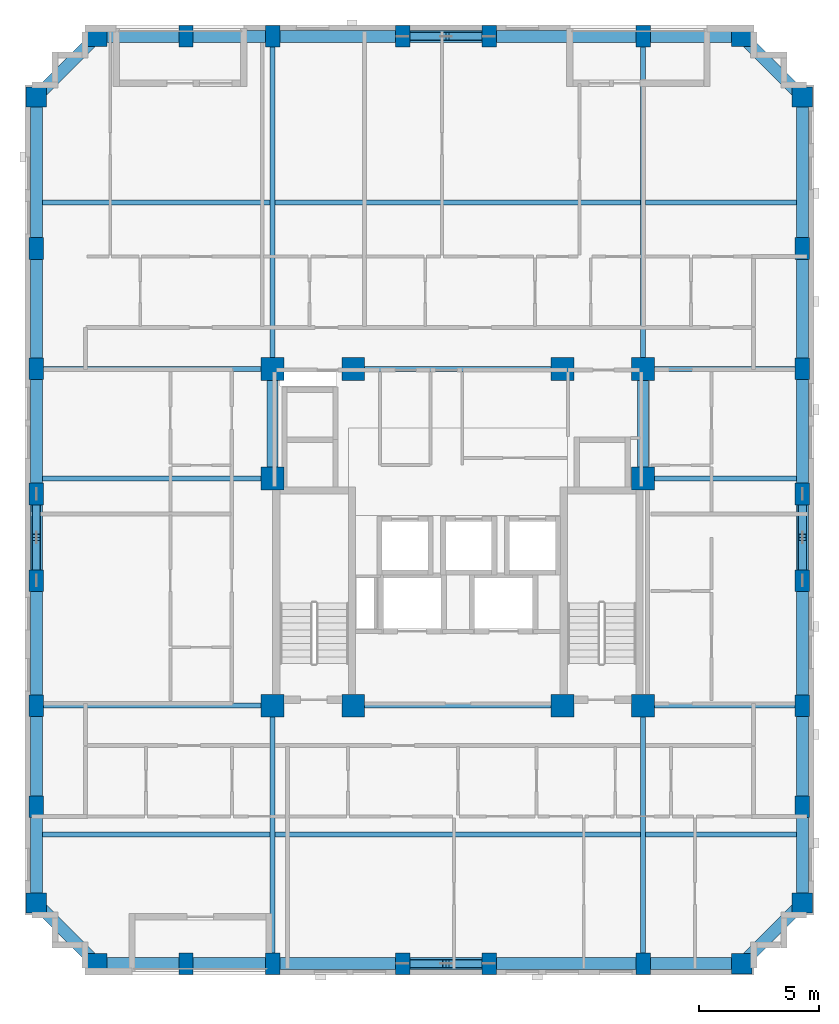
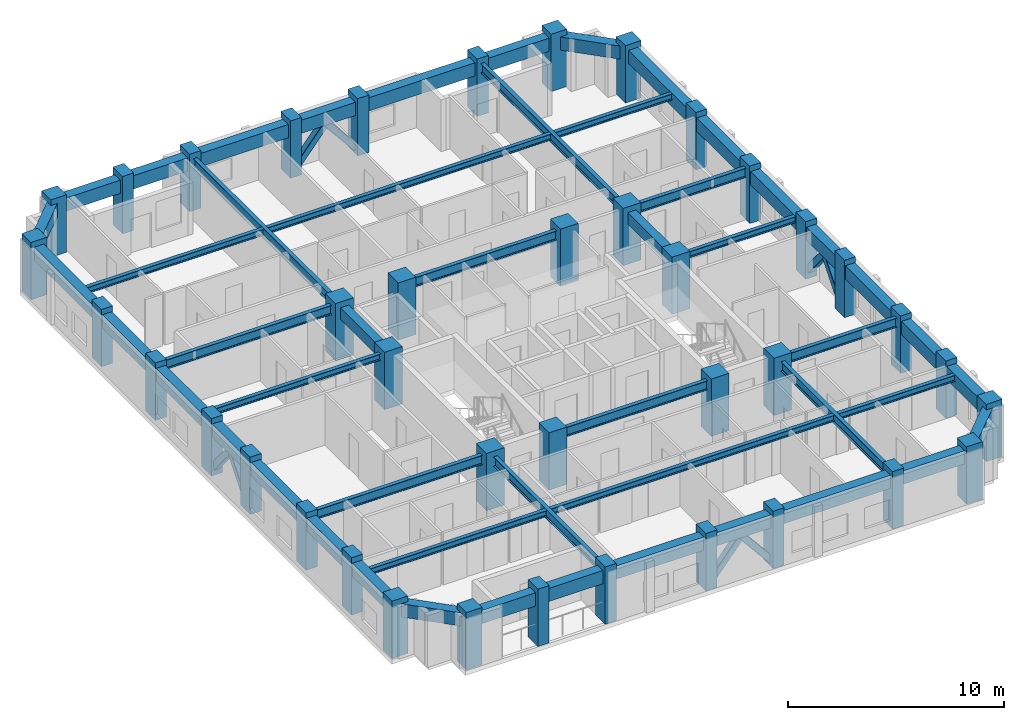
# One storey, part 1 of 11: 50 beams, 40 columns, 8 members.
"""IFC4 building model written with IfcOpenShell, lengths in metres."""

from ifc_helpers import new_model, si_unit, derived_unit, direction, frame, origin, origin_2d, place, context, subcontext, project, spatial, rectangle, hollow_rectangle, i_section, extrude, material, material_profile, profile_set, type_object, element, save


model = new_model("IFC4")

# Units and contexts
model_context = context("Model", 3, precision=1e-05, world=origin(), true_north=direction((0.0, 1.0)))
body_context = subcontext(model_context, "Body", "Model", "MODEL_VIEW")
ifc_project = project(units=[si_unit("LENGTHUNIT", "METRE"), si_unit("AREAUNIT", "SQUARE_METRE"), si_unit("VOLUMEUNIT", "CUBIC_METRE"), si_unit("PLANEANGLEUNIT", "RADIAN"), si_unit("MASSUNIT", "GRAM", prefix="KILO"), derived_unit("THERMALTRANSMITTANCEUNIT", [(si_unit("MASSUNIT", "GRAM", prefix="KILO"), 1), (si_unit("TIMEUNIT", "SECOND"), -3), (si_unit("THERMODYNAMICTEMPERATUREUNIT", "KELVIN"), -1)])], contexts=[model_context])

# Site, building, storey
site_placement = place(None, origin())
site = spatial("IfcSite", under=ifc_project, at=site_placement, CompositionType="ELEMENT")
building_placement = place(site_placement, origin())
building = spatial("IfcBuilding", under=site, at=building_placement, Name="Korrvale Station Residences", CompositionType="ELEMENT")
storey_placement = place(building_placement, frame((0.0, 0.0, 166.64990234375)))
storey = spatial("IfcBuildingStorey", under=building, at=storey_placement, Name="L48", CompositionType="ELEMENT", Elevation=166.64990234375)

# Columns
ifc_material_1 = material(Name="Concrete C60/75", Category="concrete")
ifc_material_profile_1 = material_profile(ifc_material_1, rectangle(XDim=0.60009765625, YDim=0.89990234375, at=origin_2d()), Name="RC600x900")
ifc_profile_set_1 = profile_set([ifc_material_profile_1], Name="Concrete C60/75")
column_type_1 = type_object("IfcColumnType", Name="COL-C-RC600x900-C6075", PredefinedType="COLUMN", material=ifc_profile_set_1)
for number, where, z_axis, x_axis, name in (
    (1, (14.199951171875, 4.280029296875, 0.0), (0.0, 0.0, 1.0), (1.0, 0.0, 0.0), "L48 Bundled-Tube South Column 02"),
    (2, (17.800048828125, 4.280029296875, 0.0), (0.0, 0.0, 1.0), (1.0, 0.0, 0.0), "L48 Bundled-Tube South Column 03"),
    (3, (23.199951171875, 4.280029296875, 0.0), (0.0, 0.0, 1.0), (1.0, 0.0, 0.0), "L48 Bundled-Tube South Column 04"),
    (4, (26.800048828125, 4.280029296875, 0.0), (0.0, 0.0, 1.0), (1.0, 0.0, 0.0), "L48 Bundled-Tube South Column 05"),
    (5, (33.199951171875, 4.280029296875, 0.0), (0.0, 0.0, 1.0), (1.0, 0.0, 0.0), "L48 Bundled-Tube South Column 06"),
    (6, (14.199951171875, 42.820068359375, 0.0), (0.0, 0.0, 1.0), (1.0, 0.0, 0.0), "L48 Bundled-Tube North Column 09"),
    (7, (17.800048828125, 42.820068359375, 0.0), (0.0, 0.0, 1.0), (1.0, 0.0, 0.0), "L48 Bundled-Tube North Column 10"),
    (8, (23.199951171875, 42.820068359375, 0.0), (0.0, 0.0, 1.0), (1.0, 0.0, 0.0), "L48 Bundled-Tube North Column 11"),
    (9, (26.800048828125, 42.820068359375, 0.0), (0.0, 0.0, 1.0), (1.0, 0.0, 0.0), "L48 Bundled-Tube North Column 12"),
    (10, (33.199951171875, 42.820068359375, 0.0), (0.0, 0.0, 1.0), (1.0, 0.0, 0.0), "L48 Bundled-Tube North Column 13"),
    (11, (7.97998046875, 10.800048828125, 0.0), (0.0, 0.0, 1.0), (1.0, 0.0, 0.0), "L48 Bundled-Tube West Column 16"),
    (12, (7.97998046875, 15.0, 0.0), (0.0, 0.0, 1.0), (1.0, 0.0, 0.0), "L48 Bundled-Tube West Column 17"),
    (13, (7.97998046875, 20.199951171875, 0.0), (0.0, 0.0, 1.0), (1.0, 0.0, 0.0), "L48 Bundled-Tube West Column 18"),
    (14, (7.97998046875, 23.800048828125, 0.0), (0.0, 0.0, 1.0), (1.0, 0.0, 0.0), "L48 Bundled-Tube West Column 19"),
    (15, (7.97998046875, 29.0, 0.0), (0.0, 0.0, 1.0), (1.0, 0.0, 0.0), "L48 Bundled-Tube West Column 20"),
    (16, (7.97998046875, 34.0, 0.0), (0.0, 0.0, 1.0), (1.0, 0.0, 0.0), "L48 Bundled-Tube West Column 21"),
    (17, (39.820068359375, 10.800048828125, 0.0), (0.0, 0.0, 1.0), (1.0, 0.0, 0.0), "L48 Bundled-Tube East Column 24"),
    (18, (39.820068359375, 15.0, 0.0), (0.0, 0.0, 1.0), (1.0, 0.0, 0.0), "L48 Bundled-Tube East Column 25"),
    (19, (39.820068359375, 20.199951171875, 0.0), (0.0, 0.0, 1.0), (1.0, 0.0, 0.0), "L48 Bundled-Tube East Column 26"),
    (20, (39.820068359375, 23.800048828125, 0.0), (0.0, 0.0, 1.0), (1.0, 0.0, 0.0), "L48 Bundled-Tube East Column 27"),
    (21, (39.820068359375, 29.0, 0.0), (0.0, 0.0, 1.0), (1.0, 0.0, 0.0), "L48 Bundled-Tube East Column 28"),
    (22, (39.820068359375, 34.0, 0.0), (0.0, 0.0, 1.0), (1.0, 0.0, 0.0), "L48 Bundled-Tube East Column 29"),
):
    element("IfcColumn", number, at=place(storey_placement, frame(where, z_axis=z_axis, x_axis=x_axis)), inside=storey, type_object=column_type_1, Name=name, PredefinedType="COLUMN", context=body_context, shape_type="SweptSolid", body=[
        extrude(rectangle(XDim=0.60009765625, YDim=0.89990234375, at=origin_2d()), origin(), (0.0, 0.0, 1.0), 3.25),
    ])
ifc_material_profile_2 = material_profile(ifc_material_1, rectangle(XDim=0.85009765625, YDim=0.85009765625, at=origin_2d()), Name="RC850x850")
ifc_profile_set_2 = profile_set([ifc_material_profile_2], Name="Concrete C60/75")
column_type_2 = type_object("IfcColumnType", Name="COL-C-RC850x850-C6075", PredefinedType="COLUMN", material=ifc_profile_set_2)
for number, where, z_axis, x_axis, name in (
    (23, (10.5, 4.280029296875, 0.0), (0.0, 0.0, 1.0), (1.0, 0.0, 0.0), "L48 Bundled-Tube South Column 01"),
    (24, (37.300048828125, 4.280029296875, 0.0), (0.0, 0.0, 1.0), (1.0, 0.0, 0.0), "L48 Bundled-Tube South Column 07"),
    (25, (10.5, 42.820068359375, 0.0), (0.0, 0.0, 1.0), (1.0, 0.0, 0.0), "L48 Bundled-Tube North Column 08"),
    (26, (37.300048828125, 42.820068359375, 0.0), (0.0, 0.0, 1.0), (1.0, 0.0, 0.0), "L48 Bundled-Tube North Column 14"),
    (27, (7.97998046875, 6.800048828125, 0.0), (0.0, 0.0, 1.0), (1.0, 0.0, 0.0), "L48 Bundled-Tube West Column 15"),
    (28, (7.97998046875, 40.300048828125, 0.0), (0.0, 0.0, 1.0), (1.0, 0.0, 0.0), "L48 Bundled-Tube West Column 22"),
    (29, (39.820068359375, 6.800048828125, 0.0), (0.0, 0.0, 1.0), (1.0, 0.0, 0.0), "L48 Bundled-Tube East Column 23"),
    (30, (39.820068359375, 40.300048828125, 0.0), (0.0, 0.0, 1.0), (1.0, 0.0, 0.0), "L48 Bundled-Tube East Column 30"),
):
    element("IfcColumn", number, at=place(storey_placement, frame(where, z_axis=z_axis, x_axis=x_axis)), inside=storey, type_object=column_type_2, Name=name, PredefinedType="COLUMN", context=body_context, shape_type="SweptSolid", body=[
        extrude(rectangle(XDim=0.85009765625, YDim=0.85009765625, at=origin_2d()), origin(), (0.0, 0.0, 1.0), 3.25),
    ])
ifc_material_profile_3 = material_profile(ifc_material_1, rectangle(XDim=0.949951171875, YDim=0.949951171875, at=origin_2d()), Name="RC950x950")
ifc_profile_set_3 = profile_set([ifc_material_profile_3], Name="Concrete C60/75")
column_type_3 = type_object("IfcColumnType", Name="COL-C-RC950x950-C6075", PredefinedType="COLUMN", material=ifc_profile_set_3)
for number, where, z_axis, x_axis, name in (
    (31, (17.800048828125, 15.0, 0.0), (0.0, 0.0, 1.0), (1.0, 0.0, 0.0), "L48 Core Column 01"),
    (32, (21.14990234375, 15.0, 0.0), (0.0, 0.0, 1.0), (1.0, 0.0, 0.0), "L48 Core Column 02"),
    (33, (29.85009765625, 15.0, 0.0), (0.0, 0.0, 1.0), (1.0, 0.0, 0.0), "L48 Core Column 03"),
    (34, (33.199951171875, 15.0, 0.0), (0.0, 0.0, 1.0), (1.0, 0.0, 0.0), "L48 Core Column 04"),
    (35, (17.800048828125, 29.0, 0.0), (0.0, 0.0, 1.0), (1.0, 0.0, 0.0), "L48 Core Column 05"),
    (36, (21.14990234375, 29.0, 0.0), (0.0, 0.0, 1.0), (1.0, 0.0, 0.0), "L48 Core Column 06"),
    (37, (29.85009765625, 29.0, 0.0), (0.0, 0.0, 1.0), (1.0, 0.0, 0.0), "L48 Core Column 07"),
    (38, (33.199951171875, 29.0, 0.0), (0.0, 0.0, 1.0), (1.0, 0.0, 0.0), "L48 Core Column 08"),
    (39, (17.800048828125, 24.449951171875, 0.0), (0.0, 0.0, 1.0), (1.0, 0.0, 0.0), "L48 Core Column 09"),
    (40, (33.199951171875, 24.449951171875, 0.0), (0.0, 0.0, 1.0), (1.0, 0.0, 0.0), "L48 Core Column 10"),
):
    element("IfcColumn", number, at=place(storey_placement, frame(where, z_axis=z_axis, x_axis=x_axis)), inside=storey, type_object=column_type_3, Name=name, PredefinedType="COLUMN", context=body_context, shape_type="SweptSolid", body=[
        extrude(rectangle(XDim=0.949951171875, YDim=0.949951171875, at=origin_2d()), origin(), (0.0, 0.0, 1.0), 3.25),
    ])

# Beams
ifc_material_2 = material(Name="Steel S355", Category="steel")
ifc_material_profile_4 = material_profile(ifc_material_2, i_section(OverallWidth=0.208984375, OverallDepth=0.532958984375, WebThickness=0.01025390625, FlangeThickness=0.015625, FilletRadius=0.01806640625, at=origin_2d()), Name="W530x92")
ifc_profile_set_4 = profile_set([ifc_material_profile_4], Name="Steel S355")
beam_type_1 = type_object("IfcBeamType", Name="BM-BM-W530x92-S355", PredefinedType="BEAM", material=ifc_profile_set_4)
for number, where, z_axis, x_axis, name in (
    (41, (17.800048828125, 4.280029296875, 2.66357421875), (0.0, 1.0, 0.0), (-1.0, 0.0, 0.0), "L48 Bundled-Tube Web Girder 01"),
    (42, (33.199951171875, 4.280029296875, 2.66357421875), (0.0, 1.0, 0.0), (-1.0, 0.0, 0.0), "L48 Bundled-Tube Web Girder 02"),
):
    element("IfcBeam", number, at=place(storey_placement, frame(where, z_axis=z_axis, x_axis=x_axis)), inside=storey, type_object=beam_type_1, Name=name, PredefinedType="BEAM", context=body_context, shape_type="SweptSolid", body=[
        extrude(i_section(OverallWidth=0.208984375, OverallDepth=0.532958984375, WebThickness=0.01025390625, FlangeThickness=0.015625, FilletRadius=0.01806640625, at=origin_2d()), origin(), (0.0, 0.0, 1.0), 10.719970703125),
    ])
for number, where, z_axis, x_axis, name in (
    (43, (17.800048828125, 29.0, 2.66357421875), (0.0, 1.0, 0.0), (-1.0, 0.0, 0.0), "L48 Bundled-Tube Web Girder 03"),
    (44, (33.199951171875, 29.0, 2.66357421875), (0.0, 1.0, 0.0), (-1.0, 0.0, 0.0), "L48 Bundled-Tube Web Girder 04"),
):
    element("IfcBeam", number, at=place(storey_placement, frame(where, z_axis=z_axis, x_axis=x_axis)), inside=storey, type_object=beam_type_1, Name=name, PredefinedType="BEAM", context=body_context, shape_type="SweptSolid", body=[
        extrude(i_section(OverallWidth=0.208984375, OverallDepth=0.532958984375, WebThickness=0.01025390625, FlangeThickness=0.015625, FilletRadius=0.01806640625, at=origin_2d()), origin(), (0.0, 0.0, 1.0), 13.820068359375),
    ])
beam_1_placement = place(storey_placement, frame((7.97998046875, 15.0, 2.66357421875), z_axis=(1.0, 0.0, 0.0), x_axis=(0.0, 1.0, 0.0)))
element("IfcBeam", 45, at=beam_1_placement, inside=storey, type_object=beam_type_1, Name="L48 Bundled-Tube Web Girder 05", PredefinedType="BEAM", context=body_context, shape_type="SweptSolid", body=[
    extrude(i_section(OverallWidth=0.208984375, OverallDepth=0.532958984375, WebThickness=0.01025390625, FlangeThickness=0.015625, FilletRadius=0.01806640625, at=origin_2d()), origin(), (0.0, 0.0, 1.0), 9.820068359375),
])
beam_2_placement = place(storey_placement, frame((33.199951171875, 15.0, 2.66357421875), z_axis=(1.0, 0.0, 0.0), x_axis=(0.0, 1.0, 0.0)))
element("IfcBeam", 46, at=beam_2_placement, inside=storey, type_object=beam_type_1, Name="L48 Bundled-Tube Web Girder 06", PredefinedType="BEAM", context=body_context, shape_type="SweptSolid", body=[
    extrude(i_section(OverallWidth=0.208984375, OverallDepth=0.532958984375, WebThickness=0.01025390625, FlangeThickness=0.015625, FilletRadius=0.01806640625, at=origin_2d()), origin(), (0.0, 0.0, 1.0), 6.6201171875),
])
beam_3_placement = place(storey_placement, frame((7.97998046875, 29.0, 2.66357421875), z_axis=(1.0, 0.0, 0.0), x_axis=(0.0, 1.0, 0.0)))
element("IfcBeam", 47, at=beam_3_placement, inside=storey, type_object=beam_type_1, Name="L48 Bundled-Tube Web Girder 07", PredefinedType="BEAM", context=body_context, shape_type="SweptSolid", body=[
    extrude(i_section(OverallWidth=0.208984375, OverallDepth=0.532958984375, WebThickness=0.01025390625, FlangeThickness=0.015625, FilletRadius=0.01806640625, at=origin_2d()), origin(), (0.0, 0.0, 1.0), 9.820068359375),
])
beam_4_placement = place(storey_placement, frame((33.199951171875, 29.0, 2.66357421875), z_axis=(1.0, 0.0, 0.0), x_axis=(0.0, 1.0, 0.0)))
element("IfcBeam", 48, at=beam_4_placement, inside=storey, type_object=beam_type_1, Name="L48 Bundled-Tube Web Girder 08", PredefinedType="BEAM", context=body_context, shape_type="SweptSolid", body=[
    extrude(i_section(OverallWidth=0.208984375, OverallDepth=0.532958984375, WebThickness=0.01025390625, FlangeThickness=0.015625, FilletRadius=0.01806640625, at=origin_2d()), origin(), (0.0, 0.0, 1.0), 6.6201171875),
])
for number, where, z_axis, x_axis, name in (
    (49, (21.14990234375, 15.0, 2.66357421875), (1.0, 0.0, 0.0), (0.0, 1.0, 0.0), "L48 Bundled-Tube Web Girder 09"),
    (50, (21.14990234375, 29.0, 2.66357421875), (1.0, 0.0, 0.0), (0.0, 1.0, 0.0), "L48 Bundled-Tube Web Girder 10"),
):
    element("IfcBeam", number, at=place(storey_placement, frame(where, z_axis=z_axis, x_axis=x_axis)), inside=storey, type_object=beam_type_1, Name=name, PredefinedType="BEAM", context=body_context, shape_type="SweptSolid", body=[
        extrude(i_section(OverallWidth=0.208984375, OverallDepth=0.532958984375, WebThickness=0.01025390625, FlangeThickness=0.015625, FilletRadius=0.01806640625, at=origin_2d()), origin(), (0.0, 0.0, 1.0), 8.7001953125),
    ])
ifc_material_profile_5 = material_profile(ifc_material_2, i_section(OverallWidth=0.205078125, OverallDepth=0.35400390625, WebThickness=0.009521484375, FlangeThickness=0.016845703125, FilletRadius=0.014892578125, at=origin_2d()), Name="W360x79")
ifc_profile_set_5 = profile_set([ifc_material_profile_5], Name="Steel S355")
beam_type_2 = type_object("IfcBeamType", Name="BM-JST-W360x79-S355", PredefinedType="JOIST", material=ifc_profile_set_5)
beam_5_placement = place(storey_placement, frame((8.22998046875, 9.639892578125, 2.753173828125), z_axis=(1.0, 0.0, 0.0), x_axis=(0.0, 1.0, 0.0)))
element("IfcBeam", 51, at=beam_5_placement, inside=storey, type_object=beam_type_2, Name="L48 Floor Framing Joist 01", PredefinedType="JOIST", context=body_context, shape_type="SweptSolid", body=[
    extrude(i_section(OverallWidth=0.205078125, OverallDepth=0.35400390625, WebThickness=0.009521484375, FlangeThickness=0.016845703125, FilletRadius=0.014892578125, at=origin_2d()), origin(), (0.0, 0.0, 1.0), 9.465576171875),
])
beam_6_placement = place(storey_placement, frame((17.904541015625, 9.639892578125, 2.753173828125), z_axis=(1.0, 0.0, 0.0), x_axis=(0.0, 1.0, 0.0)))
element("IfcBeam", 52, at=beam_6_placement, inside=storey, type_object=beam_type_2, Name="L48 Floor Framing Joist 02", PredefinedType="JOIST", context=body_context, shape_type="SweptSolid", body=[
    extrude(i_section(OverallWidth=0.205078125, OverallDepth=0.35400390625, WebThickness=0.009521484375, FlangeThickness=0.016845703125, FilletRadius=0.014892578125, at=origin_2d()), origin(), (0.0, 0.0, 1.0), 15.19091796875),
])
beam_7_placement = place(storey_placement, frame((33.304443359375, 9.639892578125, 2.753173828125), z_axis=(1.0, 0.0, 0.0), x_axis=(0.0, 1.0, 0.0)))
element("IfcBeam", 53, at=beam_7_placement, inside=storey, type_object=beam_type_2, Name="L48 Floor Framing Joist 03", PredefinedType="JOIST", context=body_context, shape_type="SweptSolid", body=[
    extrude(i_section(OverallWidth=0.205078125, OverallDepth=0.35400390625, WebThickness=0.009521484375, FlangeThickness=0.016845703125, FilletRadius=0.014892578125, at=origin_2d()), origin(), (0.0, 0.0, 1.0), 6.265625),
])
beam_8_placement = place(storey_placement, frame((8.22998046875, 35.909912109375, 2.753173828125), z_axis=(1.0, 0.0, 0.0), x_axis=(0.0, 1.0, 0.0)))
element("IfcBeam", 54, at=beam_8_placement, inside=storey, type_object=beam_type_2, Name="L48 Floor Framing Joist 04", PredefinedType="JOIST", context=body_context, shape_type="SweptSolid", body=[
    extrude(i_section(OverallWidth=0.205078125, OverallDepth=0.35400390625, WebThickness=0.009521484375, FlangeThickness=0.016845703125, FilletRadius=0.014892578125, at=origin_2d()), origin(), (0.0, 0.0, 1.0), 9.465576171875),
])
beam_9_placement = place(storey_placement, frame((17.904541015625, 35.909912109375, 2.753173828125), z_axis=(1.0, 0.0, 0.0), x_axis=(0.0, 1.0, 0.0)))
element("IfcBeam", 55, at=beam_9_placement, inside=storey, type_object=beam_type_2, Name="L48 Floor Framing Joist 05", PredefinedType="JOIST", context=body_context, shape_type="SweptSolid", body=[
    extrude(i_section(OverallWidth=0.205078125, OverallDepth=0.35400390625, WebThickness=0.009521484375, FlangeThickness=0.016845703125, FilletRadius=0.014892578125, at=origin_2d()), origin(), (0.0, 0.0, 1.0), 15.19091796875),
])
beam_10_placement = place(storey_placement, frame((33.304443359375, 35.909912109375, 2.753173828125), z_axis=(1.0, 0.0, 0.0), x_axis=(0.0, 1.0, 0.0)))
element("IfcBeam", 56, at=beam_10_placement, inside=storey, type_object=beam_type_2, Name="L48 Floor Framing Joist 06", PredefinedType="JOIST", context=body_context, shape_type="SweptSolid", body=[
    extrude(i_section(OverallWidth=0.205078125, OverallDepth=0.35400390625, WebThickness=0.009521484375, FlangeThickness=0.016845703125, FilletRadius=0.014892578125, at=origin_2d()), origin(), (0.0, 0.0, 1.0), 6.265625),
])
beam_11_placement = place(storey_placement, frame((33.425048828125, 24.449951171875, 2.753173828125), z_axis=(1.0, 0.0, 0.0), x_axis=(0.0, 1.0, 0.0)))
element("IfcBeam", 57, at=beam_11_placement, inside=storey, type_object=beam_type_2, Name="L48 Floor Framing Joist 07", PredefinedType="JOIST", context=body_context, shape_type="SweptSolid", body=[
    extrude(i_section(OverallWidth=0.205078125, OverallDepth=0.35400390625, WebThickness=0.009521484375, FlangeThickness=0.016845703125, FilletRadius=0.014892578125, at=origin_2d()), origin(), (0.0, 0.0, 1.0), 6.14501953125),
])
beam_12_placement = place(storey_placement, frame((8.22998046875, 24.449951171875, 2.753173828125), z_axis=(1.0, 0.0, 0.0), x_axis=(0.0, 1.0, 0.0)))
element("IfcBeam", 58, at=beam_12_placement, inside=storey, type_object=beam_type_2, Name="L48 Floor Framing Joist 08", PredefinedType="JOIST", context=body_context, shape_type="SweptSolid", body=[
    extrude(i_section(OverallWidth=0.205078125, OverallDepth=0.35400390625, WebThickness=0.009521484375, FlangeThickness=0.016845703125, FilletRadius=0.014892578125, at=origin_2d()), origin(), (0.0, 0.0, 1.0), 9.344970703125),
])
ifc_material_profile_6 = material_profile(ifc_material_1, rectangle(XDim=0.449951171875, YDim=0.64990234375, at=origin_2d()), Name="RCB450x650")
ifc_profile_set_6 = profile_set([ifc_material_profile_6], Name="Concrete C60/75")
beam_type_3 = type_object("IfcBeamType", Name="BM-LNT-RCB450x650-C6075", PredefinedType="LINTEL", material=ifc_profile_set_6)
for number, where, z_axis, x_axis, name in (
    (59, (17.800048828125, 24.449951171875, 2.60498046875), (0.0, 1.0, 0.0), (-1.0, 0.0, 0.0), "L48 Core Coupling Lintel 1"),
    (60, (33.199951171875, 24.449951171875, 2.60498046875), (0.0, 1.0, 0.0), (-1.0, 0.0, 0.0), "L48 Core Coupling Lintel 2"),
):
    element("IfcBeam", number, at=place(storey_placement, frame(where, z_axis=z_axis, x_axis=x_axis)), inside=storey, type_object=beam_type_3, Name=name, PredefinedType="LINTEL", context=body_context, shape_type="SweptSolid", body=[
        extrude(rectangle(XDim=0.449951171875, YDim=0.64990234375, at=origin_2d()), origin(), (0.0, 0.0, 1.0), 4.550048828125),
    ])
ifc_material_profile_7 = material_profile(ifc_material_1, rectangle(XDim=0.5, YDim=0.75, at=origin_2d()), Name="RCB500x750")
ifc_profile_set_7 = profile_set([ifc_material_profile_7], Name="Concrete C60/75")
beam_type_4 = type_object("IfcBeamType", Name="BM-SPB-RCB500x750-C6075", PredefinedType="SPANDREL", material=ifc_profile_set_7)
beam_13_placement = place(storey_placement, frame((10.5, 4.280029296875, 2.55517578125), z_axis=(1.0, 0.0, 0.0), x_axis=(0.0, 1.0, 0.0)))
element("IfcBeam", 61, at=beam_13_placement, inside=storey, type_object=beam_type_4, Name="L48 South Tube Spandrel 01", PredefinedType="SPANDREL", context=body_context, shape_type="SweptSolid", body=[
    extrude(rectangle(XDim=0.5, YDim=0.75, at=origin_2d()), origin(), (0.0, 0.0, 1.0), 3.699951171875),
])
beam_14_placement = place(storey_placement, frame((14.199951171875, 4.280029296875, 2.55517578125), z_axis=(1.0, 0.0, 0.0), x_axis=(0.0, 1.0, 0.0)))
element("IfcBeam", 62, at=beam_14_placement, inside=storey, type_object=beam_type_4, Name="L48 South Tube Spandrel 02", PredefinedType="SPANDREL", context=body_context, shape_type="SweptSolid", body=[
    extrude(rectangle(XDim=0.5, YDim=0.75, at=origin_2d()), origin(), (0.0, 0.0, 1.0), 3.60009765625),
])
beam_15_placement = place(storey_placement, frame((17.800048828125, 4.280029296875, 2.55517578125), z_axis=(1.0, 0.0, 0.0), x_axis=(0.0, 1.0, 0.0)))
element("IfcBeam", 63, at=beam_15_placement, inside=storey, type_object=beam_type_4, Name="L48 South Tube Spandrel 03", PredefinedType="SPANDREL", context=body_context, shape_type="SweptSolid", body=[
    extrude(rectangle(XDim=0.5, YDim=0.75, at=origin_2d()), origin(), (0.0, 0.0, 1.0), 5.39990234375),
])
beam_16_placement = place(storey_placement, frame((23.199951171875, 4.280029296875, 2.55517578125), z_axis=(1.0, 0.0, 0.0), x_axis=(0.0, 1.0, 0.0)))
element("IfcBeam", 64, at=beam_16_placement, inside=storey, type_object=beam_type_4, Name="L48 South Tube Spandrel 04", PredefinedType="SPANDREL", context=body_context, shape_type="SweptSolid", body=[
    extrude(rectangle(XDim=0.5, YDim=0.75, at=origin_2d()), origin(), (0.0, 0.0, 1.0), 3.60009765625),
])
beam_17_placement = place(storey_placement, frame((26.800048828125, 4.280029296875, 2.55517578125), z_axis=(1.0, 0.0, 0.0), x_axis=(0.0, 1.0, 0.0)))
element("IfcBeam", 65, at=beam_17_placement, inside=storey, type_object=beam_type_4, Name="L48 South Tube Spandrel 05", PredefinedType="SPANDREL", context=body_context, shape_type="SweptSolid", body=[
    extrude(rectangle(XDim=0.5, YDim=0.75, at=origin_2d()), origin(), (0.0, 0.0, 1.0), 6.39990234375),
])
beam_18_placement = place(storey_placement, frame((33.199951171875, 4.280029296875, 2.55517578125), z_axis=(1.0, 0.0, 0.0), x_axis=(0.0, 1.0, 0.0)))
element("IfcBeam", 66, at=beam_18_placement, inside=storey, type_object=beam_type_4, Name="L48 South Tube Spandrel 06", PredefinedType="SPANDREL", context=body_context, shape_type="SweptSolid", body=[
    extrude(rectangle(XDim=0.5, YDim=0.75, at=origin_2d()), origin(), (0.0, 0.0, 1.0), 4.10009765625),
])
beam_19_placement = place(storey_placement, frame((10.5, 42.820068359375, 2.55517578125), z_axis=(1.0, 0.0, 0.0), x_axis=(0.0, 1.0, 0.0)))
element("IfcBeam", 67, at=beam_19_placement, inside=storey, type_object=beam_type_4, Name="L48 North Tube Spandrel 07", PredefinedType="SPANDREL", context=body_context, shape_type="SweptSolid", body=[
    extrude(rectangle(XDim=0.5, YDim=0.75, at=origin_2d()), origin(), (0.0, 0.0, 1.0), 3.699951171875),
])
beam_20_placement = place(storey_placement, frame((14.199951171875, 42.820068359375, 2.55517578125), z_axis=(1.0, 0.0, 0.0), x_axis=(0.0, 1.0, 0.0)))
element("IfcBeam", 68, at=beam_20_placement, inside=storey, type_object=beam_type_4, Name="L48 North Tube Spandrel 08", PredefinedType="SPANDREL", context=body_context, shape_type="SweptSolid", body=[
    extrude(rectangle(XDim=0.5, YDim=0.75, at=origin_2d()), origin(), (0.0, 0.0, 1.0), 3.60009765625),
])
beam_21_placement = place(storey_placement, frame((17.800048828125, 42.820068359375, 2.55517578125), z_axis=(1.0, 0.0, 0.0), x_axis=(0.0, 1.0, 0.0)))
element("IfcBeam", 69, at=beam_21_placement, inside=storey, type_object=beam_type_4, Name="L48 North Tube Spandrel 09", PredefinedType="SPANDREL", context=body_context, shape_type="SweptSolid", body=[
    extrude(rectangle(XDim=0.5, YDim=0.75, at=origin_2d()), origin(), (0.0, 0.0, 1.0), 5.39990234375),
])
beam_22_placement = place(storey_placement, frame((23.199951171875, 42.820068359375, 2.55517578125), z_axis=(1.0, 0.0, 0.0), x_axis=(0.0, 1.0, 0.0)))
element("IfcBeam", 70, at=beam_22_placement, inside=storey, type_object=beam_type_4, Name="L48 North Tube Spandrel 10", PredefinedType="SPANDREL", context=body_context, shape_type="SweptSolid", body=[
    extrude(rectangle(XDim=0.5, YDim=0.75, at=origin_2d()), origin(), (0.0, 0.0, 1.0), 3.60009765625),
])
beam_23_placement = place(storey_placement, frame((26.800048828125, 42.820068359375, 2.55517578125), z_axis=(1.0, 0.0, 0.0), x_axis=(0.0, 1.0, 0.0)))
element("IfcBeam", 71, at=beam_23_placement, inside=storey, type_object=beam_type_4, Name="L48 North Tube Spandrel 11", PredefinedType="SPANDREL", context=body_context, shape_type="SweptSolid", body=[
    extrude(rectangle(XDim=0.5, YDim=0.75, at=origin_2d()), origin(), (0.0, 0.0, 1.0), 6.39990234375),
])
beam_24_placement = place(storey_placement, frame((33.199951171875, 42.820068359375, 2.55517578125), z_axis=(1.0, 0.0, 0.0), x_axis=(0.0, 1.0, 0.0)))
element("IfcBeam", 72, at=beam_24_placement, inside=storey, type_object=beam_type_4, Name="L48 North Tube Spandrel 12", PredefinedType="SPANDREL", context=body_context, shape_type="SweptSolid", body=[
    extrude(rectangle(XDim=0.5, YDim=0.75, at=origin_2d()), origin(), (0.0, 0.0, 1.0), 4.10009765625),
])
beam_25_placement = place(storey_placement, frame((7.97998046875, 6.800048828125, 2.55517578125), z_axis=(0.0, 1.0, 0.0), x_axis=(-1.0, 0.0, 0.0)))
element("IfcBeam", 73, at=beam_25_placement, inside=storey, type_object=beam_type_4, Name="L48 West Tube Spandrel 13", PredefinedType="SPANDREL", context=body_context, shape_type="SweptSolid", body=[
    extrude(rectangle(XDim=0.5, YDim=0.75, at=origin_2d()), origin(), (0.0, 0.0, 1.0), 4.0),
])
beam_26_placement = place(storey_placement, frame((7.97998046875, 10.800048828125, 2.55517578125), z_axis=(0.0, 1.0, 0.0), x_axis=(-1.0, 0.0, 0.0)))
element("IfcBeam", 74, at=beam_26_placement, inside=storey, type_object=beam_type_4, Name="L48 West Tube Spandrel 14", PredefinedType="SPANDREL", context=body_context, shape_type="SweptSolid", body=[
    extrude(rectangle(XDim=0.5, YDim=0.75, at=origin_2d()), origin(), (0.0, 0.0, 1.0), 4.199951171875),
])
beam_27_placement = place(storey_placement, frame((7.97998046875, 15.0, 2.55517578125), z_axis=(0.0, 1.0, 0.0), x_axis=(-1.0, 0.0, 0.0)))
element("IfcBeam", 75, at=beam_27_placement, inside=storey, type_object=beam_type_4, Name="L48 West Tube Spandrel 15", PredefinedType="SPANDREL", context=body_context, shape_type="SweptSolid", body=[
    extrude(rectangle(XDim=0.5, YDim=0.75, at=origin_2d()), origin(), (0.0, 0.0, 1.0), 5.199951171875),
])
beam_28_placement = place(storey_placement, frame((7.97998046875, 20.199951171875, 2.55517578125), z_axis=(0.0, 1.0, 0.0), x_axis=(-1.0, 0.0, 0.0)))
element("IfcBeam", 76, at=beam_28_placement, inside=storey, type_object=beam_type_4, Name="L48 West Tube Spandrel 16", PredefinedType="SPANDREL", context=body_context, shape_type="SweptSolid", body=[
    extrude(rectangle(XDim=0.5, YDim=0.75, at=origin_2d()), origin(), (0.0, 0.0, 1.0), 3.60009765625),
])
beam_29_placement = place(storey_placement, frame((7.97998046875, 23.800048828125, 2.55517578125), z_axis=(0.0, 1.0, 0.0), x_axis=(-1.0, 0.0, 0.0)))
element("IfcBeam", 77, at=beam_29_placement, inside=storey, type_object=beam_type_4, Name="L48 West Tube Spandrel 17", PredefinedType="SPANDREL", context=body_context, shape_type="SweptSolid", body=[
    extrude(rectangle(XDim=0.5, YDim=0.75, at=origin_2d()), origin(), (0.0, 0.0, 1.0), 5.199951171875),
])
beam_30_placement = place(storey_placement, frame((7.97998046875, 29.0, 2.55517578125), z_axis=(0.0, 1.0, 0.0), x_axis=(-1.0, 0.0, 0.0)))
element("IfcBeam", 78, at=beam_30_placement, inside=storey, type_object=beam_type_4, Name="L48 West Tube Spandrel 18", PredefinedType="SPANDREL", context=body_context, shape_type="SweptSolid", body=[
    extrude(rectangle(XDim=0.5, YDim=0.75, at=origin_2d()), origin(), (0.0, 0.0, 1.0), 5.0),
])
beam_31_placement = place(storey_placement, frame((7.97998046875, 34.0, 2.55517578125), z_axis=(0.0, 1.0, 0.0), x_axis=(-1.0, 0.0, 0.0)))
element("IfcBeam", 79, at=beam_31_placement, inside=storey, type_object=beam_type_4, Name="L48 West Tube Spandrel 19", PredefinedType="SPANDREL", context=body_context, shape_type="SweptSolid", body=[
    extrude(rectangle(XDim=0.5, YDim=0.75, at=origin_2d()), origin(), (0.0, 0.0, 1.0), 6.300048828125),
])
beam_32_placement = place(storey_placement, frame((39.820068359375, 6.800048828125, 2.55517578125), z_axis=(0.0, 1.0, 0.0), x_axis=(-1.0, 0.0, 0.0)))
element("IfcBeam", 80, at=beam_32_placement, inside=storey, type_object=beam_type_4, Name="L48 East Tube Spandrel 20", PredefinedType="SPANDREL", context=body_context, shape_type="SweptSolid", body=[
    extrude(rectangle(XDim=0.5, YDim=0.75, at=origin_2d()), origin(), (0.0, 0.0, 1.0), 4.0),
])
beam_33_placement = place(storey_placement, frame((39.820068359375, 10.800048828125, 2.55517578125), z_axis=(0.0, 1.0, 0.0), x_axis=(-1.0, 0.0, 0.0)))
element("IfcBeam", 81, at=beam_33_placement, inside=storey, type_object=beam_type_4, Name="L48 East Tube Spandrel 21", PredefinedType="SPANDREL", context=body_context, shape_type="SweptSolid", body=[
    extrude(rectangle(XDim=0.5, YDim=0.75, at=origin_2d()), origin(), (0.0, 0.0, 1.0), 4.199951171875),
])
beam_34_placement = place(storey_placement, frame((39.820068359375, 15.0, 2.55517578125), z_axis=(0.0, 1.0, 0.0), x_axis=(-1.0, 0.0, 0.0)))
element("IfcBeam", 82, at=beam_34_placement, inside=storey, type_object=beam_type_4, Name="L48 East Tube Spandrel 22", PredefinedType="SPANDREL", context=body_context, shape_type="SweptSolid", body=[
    extrude(rectangle(XDim=0.5, YDim=0.75, at=origin_2d()), origin(), (0.0, 0.0, 1.0), 5.199951171875),
])
beam_35_placement = place(storey_placement, frame((39.820068359375, 20.199951171875, 2.55517578125), z_axis=(0.0, 1.0, 0.0), x_axis=(-1.0, 0.0, 0.0)))
element("IfcBeam", 83, at=beam_35_placement, inside=storey, type_object=beam_type_4, Name="L48 East Tube Spandrel 23", PredefinedType="SPANDREL", context=body_context, shape_type="SweptSolid", body=[
    extrude(rectangle(XDim=0.5, YDim=0.75, at=origin_2d()), origin(), (0.0, 0.0, 1.0), 3.60009765625),
])
beam_36_placement = place(storey_placement, frame((39.820068359375, 23.800048828125, 2.55517578125), z_axis=(0.0, 1.0, 0.0), x_axis=(-1.0, 0.0, 0.0)))
element("IfcBeam", 84, at=beam_36_placement, inside=storey, type_object=beam_type_4, Name="L48 East Tube Spandrel 24", PredefinedType="SPANDREL", context=body_context, shape_type="SweptSolid", body=[
    extrude(rectangle(XDim=0.5, YDim=0.75, at=origin_2d()), origin(), (0.0, 0.0, 1.0), 5.199951171875),
])
beam_37_placement = place(storey_placement, frame((39.820068359375, 29.0, 2.55517578125), z_axis=(0.0, 1.0, 0.0), x_axis=(-1.0, 0.0, 0.0)))
element("IfcBeam", 85, at=beam_37_placement, inside=storey, type_object=beam_type_4, Name="L48 East Tube Spandrel 25", PredefinedType="SPANDREL", context=body_context, shape_type="SweptSolid", body=[
    extrude(rectangle(XDim=0.5, YDim=0.75, at=origin_2d()), origin(), (0.0, 0.0, 1.0), 5.0),
])
beam_38_placement = place(storey_placement, frame((39.820068359375, 34.0, 2.55517578125), z_axis=(0.0, 1.0, 0.0), x_axis=(-1.0, 0.0, 0.0)))
element("IfcBeam", 86, at=beam_38_placement, inside=storey, type_object=beam_type_4, Name="L48 East Tube Spandrel 26", PredefinedType="SPANDREL", context=body_context, shape_type="SweptSolid", body=[
    extrude(rectangle(XDim=0.5, YDim=0.75, at=origin_2d()), origin(), (0.0, 0.0, 1.0), 6.300048828125),
])
for number, where, z_axis, x_axis, name in (
    (87, (10.5, 4.280029296875, 2.55517578125), (-0.707106781187, 0.707106781187, 0.0), (-0.707106781187, -0.707106781187, 0.0), "L48 Serrated Corner Spandrel 27"),
    (88, (37.300048828125, 4.280029296875, 2.55517578125), (0.707106781187, 0.707106781187, 0.0), (-0.707106781187, 0.707106781187, 0.0), "L48 Serrated Corner Spandrel 28"),
    (89, (37.300048828125, 42.820068359375, 2.55517578125), (0.707106781187, -0.707106781187, 0.0), (0.707106781187, 0.707106781187, 0.0), "L48 Serrated Corner Spandrel 29"),
    (90, (10.5, 42.820068359375, 2.55517578125), (-0.707106781187, -0.707106781187, 0.0), (0.707106781187, -0.707106781187, 0.0), "L48 Serrated Corner Spandrel 30"),
):
    element("IfcBeam", number, at=place(storey_placement, frame(where, z_axis=z_axis, x_axis=x_axis)), inside=storey, type_object=beam_type_4, Name=name, PredefinedType="SPANDREL", context=body_context, shape_type="SweptSolid", body=[
        extrude(rectangle(XDim=0.5, YDim=0.75, at=origin_2d()), origin(), (0.0, 0.0, 1.0), 3.56396484375),
    ])

# Members
ifc_material_profile_8 = material_profile(ifc_material_2, hollow_rectangle(XDim=0.355712890625, YDim=0.355712890625, WallThickness=0.015869140625, InnerFilletRadius=0.015869140625, OuterFilletRadius=0.03173828125, at=origin_2d()), Name="HSS356x356x16")
ifc_profile_set_8 = profile_set([ifc_material_profile_8], Name="Steel S355")
member_type = type_object("IfcMemberType", Name="MBR-BR-HSS356x356x16", PredefinedType="BRACE", material=ifc_profile_set_8)
for number, where, z_axis, x_axis, name in (
    (91, (23.199951171875, 4.280029296875, 0.02001953125), (0.636678350553, 0.0, 0.771129481953), (0.0, 1.0, 0.0), "L48 S Perimeter Tube Wind Brace 1"),
    (92, (26.800048828125, 4.280029296875, 0.02001953125), (-0.636678350553, 0.0, 0.771129481953), (0.0, -1.0, 0.0), "L48 S Perimeter Tube Wind Brace 2"),
    (93, (23.199951171875, 42.820068359375, 0.02001953125), (0.636678350553, 0.0, 0.771129481953), (0.0, 1.0, 0.0), "L48 N Perimeter Tube Wind Brace 1"),
    (94, (26.800048828125, 42.820068359375, 0.02001953125), (-0.636678350553, 0.0, 0.771129481953), (0.0, -1.0, 0.0), "L48 N Perimeter Tube Wind Brace 2"),
    (95, (7.97998046875, 20.199951171875, 0.02001953125), (0.0, 0.636678350553, 0.771129481953), (-1.0, 0.0, 0.0), "L48 W Perimeter Tube Wind Brace 1"),
    (96, (7.97998046875, 23.800048828125, 0.02001953125), (0.0, -0.636678350553, 0.771129481953), (1.0, 0.0, 0.0), "L48 W Perimeter Tube Wind Brace 2"),
    (97, (39.820068359375, 20.199951171875, 0.02001953125), (0.0, 0.636678350553, 0.771129481953), (-1.0, 0.0, 0.0), "L48 E Perimeter Tube Wind Brace 1"),
    (98, (39.820068359375, 23.800048828125, 0.02001953125), (0.0, -0.636678350553, 0.771129481953), (1.0, 0.0, 0.0), "L48 E Perimeter Tube Wind Brace 2"),
):
    element("IfcMember", number, at=place(storey_placement, frame(where, z_axis=z_axis, x_axis=x_axis)), inside=storey, type_object=member_type, Name=name, PredefinedType="BRACE", context=body_context, shape_type="SweptSolid", body=[
        extrude(hollow_rectangle(XDim=0.355712890625, YDim=0.355712890625, WallThickness=0.015869140625, InnerFilletRadius=0.015869140625, OuterFilletRadius=0.03173828125, at=origin_2d()), origin(), (0.0, 0.0, 1.0), 2.8271484375),
    ])

save(model, "model.ifc")
